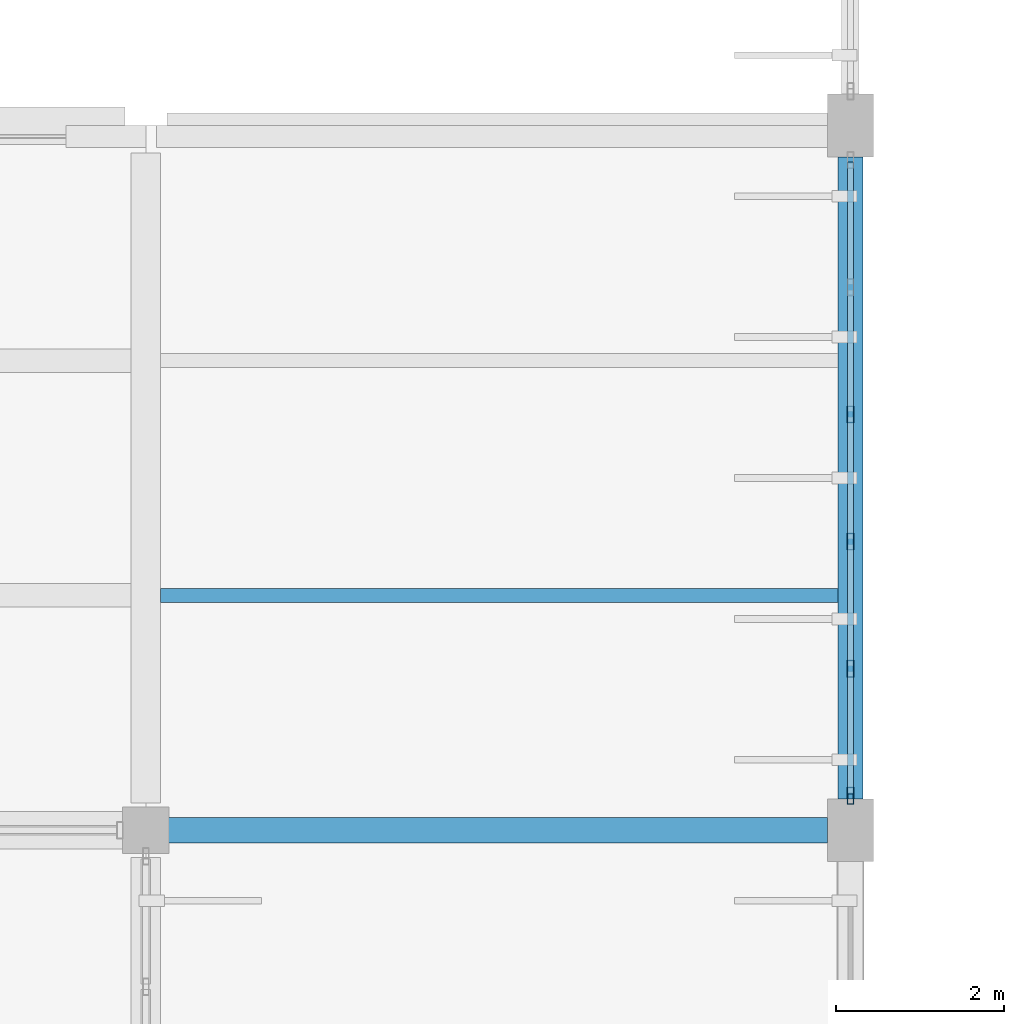
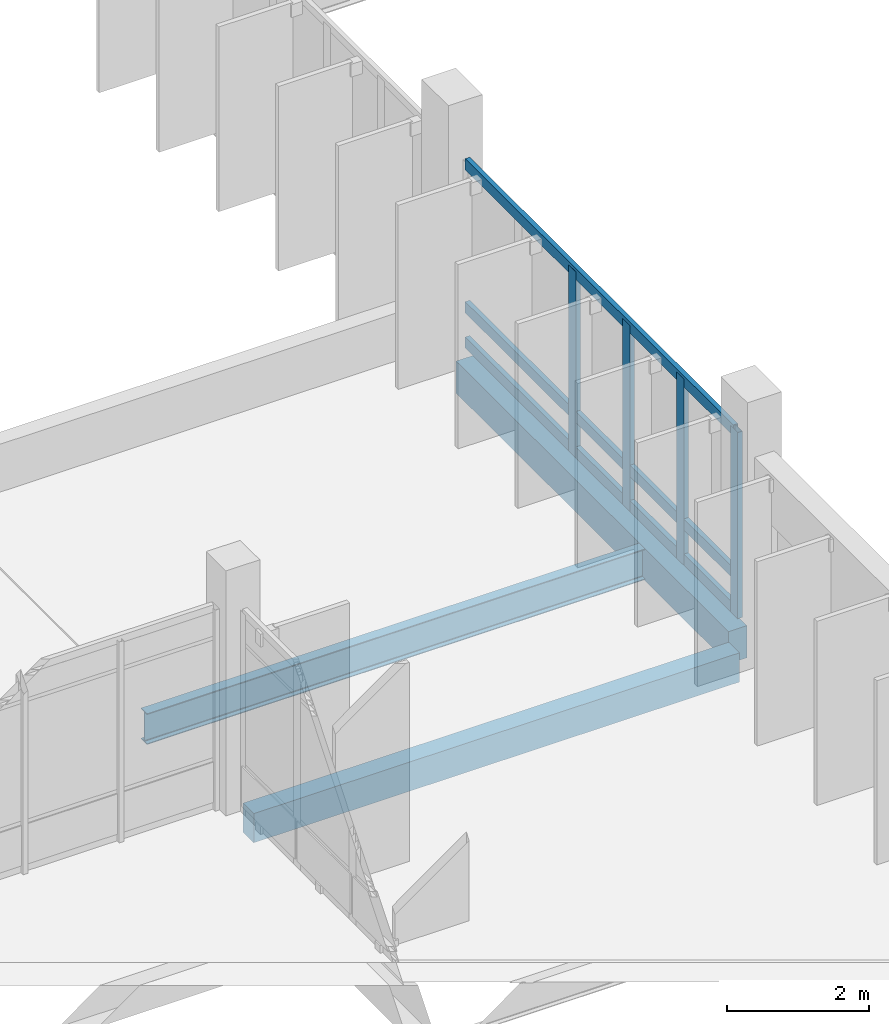
# One storey, part 90 of 130: 7 members, 3 beams, 1 element without a shape of its own.
"""IFC4 building model written with IfcOpenShell, lengths in metres."""

from ifc_helpers import new_model, si_unit, direction, frame, origin, origin_2d, place, context, subcontext, project, spatial, rectangle, hollow_rectangle, i_section, extrude, material, layer, layer_set, material_profile, profile_set, type_object, element, aggregate, save


model = new_model("IFC4")

# Units and contexts
model_context = context("Model", 3, precision=1e-05, world=origin(), true_north=direction((0.0, 1.0)))
body_context = subcontext(model_context, "Body", "Model", "MODEL_VIEW")
ifc_project = project(units=[si_unit("LENGTHUNIT", "METRE"), si_unit("AREAUNIT", "SQUARE_METRE"), si_unit("VOLUMEUNIT", "CUBIC_METRE"), si_unit("PLANEANGLEUNIT", "RADIAN"), si_unit("MASSUNIT", "GRAM", prefix="KILO")], contexts=[model_context])

# Site, building, storey
site_placement = place(None, origin())
site = spatial("IfcSite", under=ifc_project, at=site_placement, CompositionType="ELEMENT")
building_placement = place(site_placement, origin())
building = spatial("IfcBuilding", under=site, at=building_placement, Name="Vireocrest Preparatory School", CompositionType="ELEMENT")
storey_placement = place(building_placement, frame((0.0, 0.0, 9.0)))
storey = spatial("IfcBuildingStorey", under=building, at=storey_placement, Name="L02", CompositionType="ELEMENT", Elevation=9.0)

# Curtain wall, members
ifc_material_1 = material(Name="Thermally broken aluminium EN AW-6063-T6", Category="aluminium")
ifc_layer = layer(ifc_material_1, 0.179931640625)
ifc_layer_set = layer_set([ifc_layer], Name="Thermally broken aluminium EN AW-6063-T6")
curtain_wall_type = type_object("IfcCurtainWallType", Name="Teaching Fin Curtain Wall 8400x4200", PredefinedType="USERDEFINED", material=ifc_layer_set)
curtain_wall_placement = place(storey_placement, origin())
curtain_wall = element("IfcCurtainWall", 1, at=curtain_wall_placement, inside=storey, type_object=curtain_wall_type, Name="Curtain Wall CW03 CW_L02_CW03_1428_0358_090", ObjectType="CURTAIN WALL", PredefinedType="USERDEFINED")
ifc_material_profile_1 = material_profile(ifc_material_1, hollow_rectangle(XDim=0.074951171875, YDim=0.199951171875, WallThickness=0.0048828125, at=origin_2d()), Name="ALU 75x200x5")
ifc_profile_set_1 = profile_set([ifc_material_profile_1], Name="Thermally broken aluminium EN AW-6063-T6")
member_type_1 = type_object("IfcMemberType", Name="CW Mullion 75x200x5", PredefinedType="MULLION", material=ifc_profile_set_1)
member_1_placement = place(storey_placement, frame((142.800048828125, 35.81005859375, 0.0), z_axis=(0.0, 0.0, 1.0), x_axis=(1.0, 0.0, 0.0)))
member_1 = element("IfcMember", 2, at=member_1_placement, type_object=member_type_1, Name="CW Mullion ML3 CW_L02_CW03_1428_0358_090-1", PredefinedType="MULLION", context=body_context, shape_type="SweptSolid", body=[
    extrude(hollow_rectangle(XDim=0.074951171875, YDim=0.199951171875, WallThickness=0.0048828125, at=origin_2d()), origin(), (0.0, 0.0, 1.0), 3.19189453125),
])
member_2_placement = place(storey_placement, frame((142.800048828125, 37.325927734375, 0.0), z_axis=(0.0, 0.0, 1.0), x_axis=(1.0, 0.0, 0.0)))
member_2 = element("IfcMember", 3, at=member_2_placement, type_object=member_type_1, Name="CW Mullion ML3 CW_L02_CW03_1428_0358_090-2", PredefinedType="MULLION", context=body_context, shape_type="SweptSolid", body=[
    extrude(hollow_rectangle(XDim=0.074951171875, YDim=0.199951171875, WallThickness=0.0048828125, at=origin_2d()), origin(), (0.0, 0.0, 1.0), 3.19189453125),
])
member_3_placement = place(storey_placement, frame((142.800048828125, 38.842041015625, 0.0), z_axis=(0.0, 0.0, 1.0), x_axis=(1.0, 0.0, 0.0)))
member_3 = element("IfcMember", 4, at=member_3_placement, type_object=member_type_1, Name="CW Mullion ML3 CW_L02_CW03_1428_0358_090-3", PredefinedType="MULLION", context=body_context, shape_type="SweptSolid", body=[
    extrude(hollow_rectangle(XDim=0.074951171875, YDim=0.199951171875, WallThickness=0.0048828125, at=origin_2d()), origin(), (0.0, 0.0, 1.0), 3.19189453125),
])
member_4_placement = place(storey_placement, frame((142.800048828125, 40.35791015625, 0.0), z_axis=(0.0, 0.0, 1.0), x_axis=(1.0, 0.0, 0.0)))
member_4 = element("IfcMember", 5, at=member_4_placement, type_object=member_type_1, Name="CW Mullion ML3 CW_L02_CW03_1428_0358_090-4", PredefinedType="MULLION", context=body_context, shape_type="SweptSolid", body=[
    extrude(hollow_rectangle(XDim=0.074951171875, YDim=0.199951171875, WallThickness=0.0048828125, at=origin_2d()), origin(), (0.0, 0.0, 1.0), 3.19189453125),
])
ifc_material_profile_2 = material_profile(ifc_material_1, hollow_rectangle(XDim=0.074951171875, YDim=0.18994140625, WallThickness=0.00390625, at=origin_2d()), Name="ALU 75x190x4")
ifc_profile_set_2 = profile_set([ifc_material_profile_2], Name="Thermally broken aluminium EN AW-6063-T6")
member_type_2 = type_object("IfcMemberType", Name="CW Transom 75x190x4", PredefinedType="USERDEFINED", material=ifc_profile_set_2)
member_5_placement = place(storey_placement, frame((142.800048828125, 35.8349609375, 0.094970703125), z_axis=(0.0, 1.0, 0.0), x_axis=(-1.0, 0.0, 0.0)))
member_5 = element("IfcMember", 6, at=member_5_placement, type_object=member_type_2, Name="CW Transom TR3 CW_L02_CW03_1428_0358_090-1", ObjectType="TRANSOM", PredefinedType="USERDEFINED", context=body_context, shape_type="SweptSolid", body=[
    extrude(hollow_rectangle(XDim=0.074951171875, YDim=0.18994140625, WallThickness=0.00390625, at=origin_2d()), origin(), (0.0, 0.0, 1.0), 7.530029296875),
])
member_6_placement = place(storey_placement, frame((142.800048828125, 35.8349609375, 0.699951171875), z_axis=(0.0, 1.0, 0.0), x_axis=(-1.0, 0.0, 0.0)))
member_6 = element("IfcMember", 7, at=member_6_placement, type_object=member_type_2, Name="CW Transom TR3 CW_L02_CW03_1428_0358_090-2", ObjectType="TRANSOM", PredefinedType="USERDEFINED", context=body_context, shape_type="SweptSolid", body=[
    extrude(hollow_rectangle(XDim=0.074951171875, YDim=0.18994140625, WallThickness=0.00390625, at=origin_2d()), origin(), (0.0, 0.0, 1.0), 7.530029296875),
])
member_7_placement = place(storey_placement, frame((142.800048828125, 35.8349609375, 3.152099609375), z_axis=(0.0, 1.0, 0.0), x_axis=(-1.0, 0.0, 0.0)))
member_7 = element("IfcMember", 8, at=member_7_placement, type_object=member_type_2, Name="CW Transom TR3 CW_L02_CW03_1428_0358_090-3", ObjectType="TRANSOM", PredefinedType="USERDEFINED", context=body_context, shape_type="SweptSolid", body=[
    extrude(hollow_rectangle(XDim=0.074951171875, YDim=0.18994140625, WallThickness=0.00390625, at=origin_2d()), origin(), (0.0, 0.0, 1.0), 7.530029296875),
])
aggregate(curtain_wall, [member_1, member_2, member_3, member_4, member_5, member_6, member_7])

# Beams
ifc_material_2 = material(Name="Structural steel ASTM A992 Grade 50", Category="steel")
ifc_material_profile_3 = material_profile(ifc_material_2, i_section(OverallWidth=0.166015625, OverallDepth=0.529052734375, WebThickness=0.009765625, FlangeThickness=0.013671875, FilletRadius=0.014892578125, at=origin_2d()), Name="W21X50")
ifc_profile_set_3 = profile_set([ifc_material_profile_3], Name="Structural steel ASTM A992 Grade 50")
beam_type_1 = type_object("IfcBeamType", Name="Pavilion Roof Joist W21X50", PredefinedType="JOIST", material=ifc_profile_set_3)
beam_1_placement = place(storey_placement, frame((134.574951171875, 38.199951171875, -0.484619140625), z_axis=(1.0, 0.0, 0.0), x_axis=(0.0, 1.0, 0.0)))
element("IfcBeam", 9, at=beam_1_placement, inside=storey, type_object=beam_type_1, Name="Secondary Joist SJ1 L02-1030", PredefinedType="JOIST", context=body_context, shape_type="SweptSolid", body=[
    extrude(i_section(OverallWidth=0.166015625, OverallDepth=0.529052734375, WebThickness=0.009765625, FlangeThickness=0.013671875, FilletRadius=0.014892578125, at=origin_2d()), origin(), (0.0, 0.0, 1.0), 8.074951171875),
])
ifc_material_3 = material(Name="Concrete 40 MPa", Category="concrete")
ifc_material_profile_4 = material_profile(ifc_material_3, rectangle(XDim=0.300048828125, YDim=0.5, at=origin_2d()), Name="RC 300x500")
ifc_profile_set_4 = profile_set([ifc_material_profile_4], Name="Concrete 40 MPa")
beam_type_2 = type_object("IfcBeamType", Name="RC Roof Edge Beam 300x500", PredefinedType="BEAM", material=ifc_profile_set_4)
beam_2_placement = place(storey_placement, frame((134.64990234375, 35.39990234375, -0.469970703125), z_axis=(1.0, 0.0, 0.0), x_axis=(0.0, 1.0, 0.0)))
element("IfcBeam", 10, at=beam_2_placement, inside=storey, type_object=beam_type_2, Name="Primary Girder B01 L02-0713", PredefinedType="BEAM", context=body_context, shape_type="SweptSolid", body=[
    extrude(rectangle(XDim=0.300048828125, YDim=0.5, at=origin_2d()), origin(), (0.0, 0.0, 1.0), 7.875),
])
ifc_material_profile_5 = material_profile(ifc_material_3, rectangle(XDim=0.300048828125, YDim=0.550048828125, at=origin_2d()), Name="RC 300x550")
ifc_profile_set_5 = profile_set([ifc_material_profile_5], Name="Concrete 40 MPa")
beam_type_3 = type_object("IfcBeamType", Name="RC Roof Girder 300x550", PredefinedType="BEAM", material=ifc_profile_set_5)
beam_3_placement = place(storey_placement, frame((142.800048828125, 35.77490234375, -0.4951171875), z_axis=(0.0, 1.0, 0.0), x_axis=(-1.0, 0.0, 0.0)))
element("IfcBeam", 11, at=beam_3_placement, inside=storey, type_object=beam_type_3, Name="Primary Girder B02 L02-0883", PredefinedType="BEAM", context=body_context, shape_type="SweptSolid", body=[
    extrude(rectangle(XDim=0.300048828125, YDim=0.550048828125, at=origin_2d()), origin(), (0.0, 0.0, 1.0), 7.650146484375),
])

save(model, "model.ifc")
